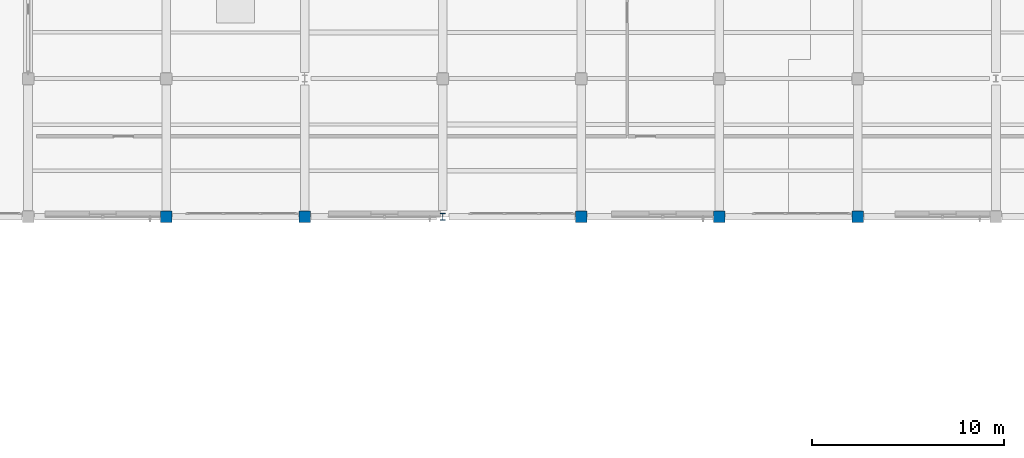
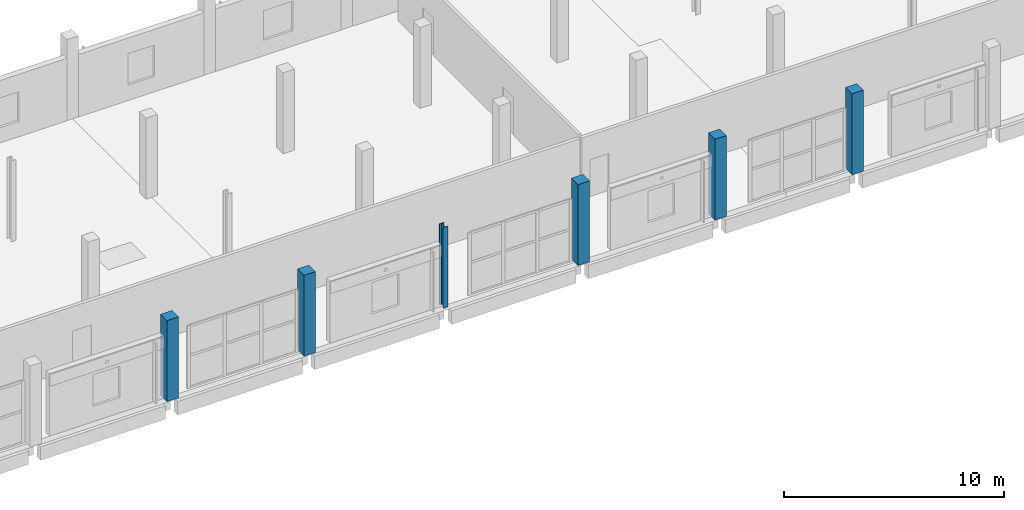
# One storey, part 14 of 123: 6 columns.
"""IFC4 building model written with IfcOpenShell, lengths in metres."""

from ifc_helpers import new_model, si_unit, direction, frame, origin, origin_2d, place, context, subcontext, project, spatial, rectangle, i_section, extrude, material, material_profile, profile_set, type_object, element, save


model = new_model("IFC4")

# Units and contexts
model_context = context("Model", 3, precision=1e-05, world=origin(), true_north=direction((0.0, 1.0)))
body_context = subcontext(model_context, "Body", "Model", "MODEL_VIEW")
ifc_project = project(units=[si_unit("LENGTHUNIT", "METRE"), si_unit("AREAUNIT", "SQUARE_METRE"), si_unit("VOLUMEUNIT", "CUBIC_METRE"), si_unit("PLANEANGLEUNIT", "RADIAN"), si_unit("MASSUNIT", "GRAM", prefix="KILO")], contexts=[model_context])

# Site, building, storey
site_placement = place(None, origin())
site = spatial("IfcSite", under=ifc_project, at=site_placement, CompositionType="ELEMENT")
building_placement = place(site_placement, origin())
building = spatial("IfcBuilding", under=site, at=building_placement, Name="Kalmorath City Hall", CompositionType="ELEMENT")
storey_placement = place(building_placement, frame((0.0, 0.0, 10.199951171875)))
storey = spatial("IfcBuildingStorey", under=building, at=storey_placement, Name="L02", CompositionType="ELEMENT", Elevation=10.199951171875)

# Columns
ifc_material_1 = material(Name="Concrete C50/60", Category="concrete")
ifc_material_profile_1 = material_profile(ifc_material_1, rectangle(XDim=0.60009765625, YDim=0.60009765625, at=origin_2d()), Name="RC-COL-600X600")
ifc_profile_set_1 = profile_set([ifc_material_profile_1], Name="Concrete C50/60")
column_type_1 = type_object("IfcColumnType", Name="Concrete column 600x600", PredefinedType="COLUMN", material=ifc_profile_set_1)
for number, where, z_axis, x_axis, name in (
    (1, (72.0, 93.60009765625, 0.0), (0.0, 0.0, 1.0), (1.0, 0.0, 0.0), "L02 column C6 (11/14)"),
    (2, (79.199951171875, 93.60009765625, 0.0), (0.0, 0.0, 1.0), (1.0, 0.0, 0.0), "L02 column C6 (12/14)"),
    (3, (93.60009765625, 93.60009765625, 0.0), (0.0, 0.0, 1.0), (1.0, 0.0, 0.0), "L02 column C6 (14/14)"),
    (4, (100.800048828125, 93.60009765625, 0.0), (0.0, 0.0, 1.0), (1.0, 0.0, 0.0), "L02 column C6 (15/14)"),
    (5, (108.0, 93.60009765625, 0.0), (0.0, 0.0, 1.0), (1.0, 0.0, 0.0), "L02 column C6 (16/14)"),
):
    element("IfcColumn", number, at=place(storey_placement, frame(where, z_axis=z_axis, x_axis=x_axis)), inside=storey, type_object=column_type_1, Name=name, PredefinedType="COLUMN", context=body_context, shape_type="SweptSolid", body=[
        extrude(rectangle(XDim=0.60009765625, YDim=0.60009765625, at=origin_2d()), origin(), (0.0, 0.0, 1.0), 4.5),
    ])
ifc_material_2 = material(Name="Steel ASTM A992 Grade 50", Category="steel")
ifc_material_profile_2 = material_profile(ifc_material_2, i_section(OverallWidth=0.25390625, OverallDepth=0.35302734375, WebThickness=0.009521484375, FlangeThickness=0.016357421875, FilletRadius=0.014892578125, at=origin_2d()), Name="W14X61")
ifc_profile_set_2 = profile_set([ifc_material_profile_2], Name="Steel ASTM A992 Grade 50")
column_type_2 = type_object("IfcColumnType", Name="Steel wide-flange column W14X61", PredefinedType="COLUMN", material=ifc_profile_set_2)
column_placement = place(storey_placement, frame((86.39990234375, 93.60009765625, 0.0), z_axis=(0.0, 0.0, 1.0), x_axis=(1.0, 0.0, 0.0)))
element("IfcColumn", 6, at=column_placement, inside=storey, type_object=column_type_2, Name="L02 column SC1 (13/14)", PredefinedType="COLUMN", context=body_context, shape_type="SweptSolid", body=[
    extrude(i_section(OverallWidth=0.25390625, OverallDepth=0.35302734375, WebThickness=0.009521484375, FlangeThickness=0.016357421875, FilletRadius=0.014892578125, at=origin_2d()), origin(), (0.0, 0.0, 1.0), 4.5),
])

save(model, "model.ifc")
